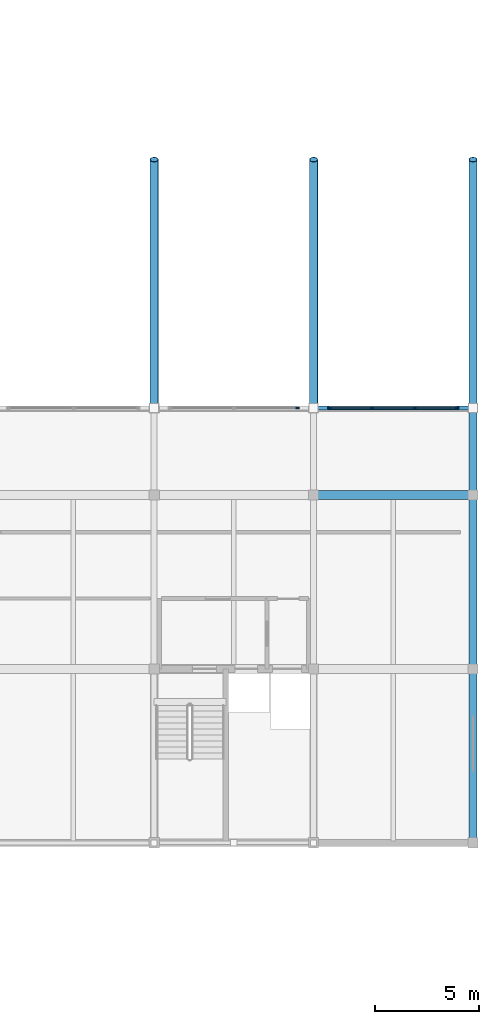
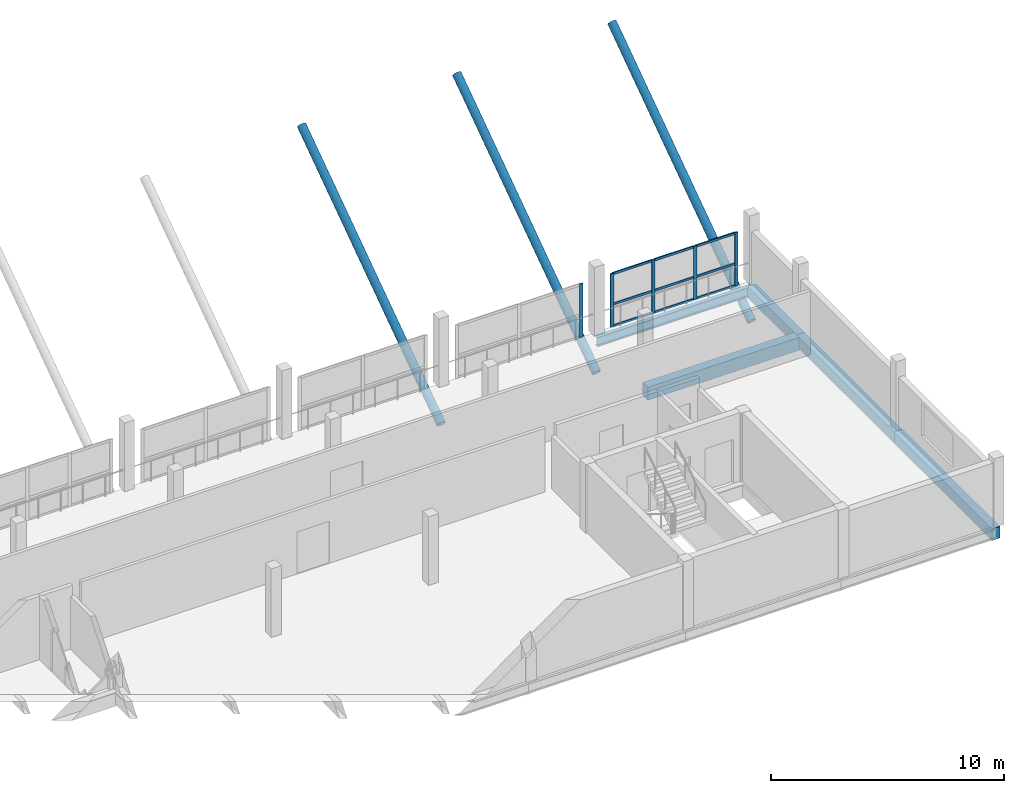
# One storey, part 29 of 51: 17 members, 5 beams, 2 elements without a shape of their own.
"""IFC4 building model written with IfcOpenShell, lengths in metres."""

from ifc_helpers import new_model, si_unit, direction, frame, origin, origin_2d, place, context, subcontext, project, spatial, rectangle, hollow_circle, i_section, extrude, material, material_profile, profile_set, type_object, element, aggregate, save


model = new_model("IFC4")

# Units and contexts
model_context = context("Model", 3, precision=1e-05, world=origin(), true_north=direction((0.0, 1.0)))
body_context = subcontext(model_context, "Body", "Model", "MODEL_VIEW")
ifc_project = project(units=[si_unit("LENGTHUNIT", "METRE"), si_unit("AREAUNIT", "SQUARE_METRE"), si_unit("VOLUMEUNIT", "CUBIC_METRE"), si_unit("PLANEANGLEUNIT", "RADIAN"), si_unit("MASSUNIT", "GRAM", prefix="KILO")], contexts=[model_context])

# Site, building, storey
site_placement = place(None, origin())
site = spatial("IfcSite", under=ifc_project, at=site_placement, CompositionType="ELEMENT")
building_placement = place(site_placement, origin())
building = spatial("IfcBuilding", under=site, at=building_placement, Name="Vharandega Faculty of Natural Sciences", CompositionType="ELEMENT")
storey_placement = place(building_placement, frame((0.0, 0.0, 14.39990234375)))
storey = spatial("IfcBuildingStorey", under=building, at=storey_placement, Name="L03", CompositionType="ELEMENT", Elevation=14.39990234375)

# Curtain wall, member
ifc_material_1 = material(Name="Aluminium and solar-control glass curtain wall", Category="aluminium")
curtain_wall_type_1 = type_object("IfcCurtainWallType", Name="Unitised Curtain Wall System CW-19", PredefinedType="NOTDEFINED", material=ifc_material_1)
curtain_wall_1_placement = place(storey_placement, origin())
curtain_wall_1 = element("IfcCurtainWall", 1, at=curtain_wall_1_placement, inside=storey, type_object=curtain_wall_type_1, Name="Curtain Wall CW-L03-018", PredefinedType="NOTDEFINED")
ifc_material_2 = material(Name="Thermally broken aluminium 6063-T6", Category="aluminium")
ifc_material_profile_1 = material_profile(ifc_material_2, rectangle(XDim=0.06005859375, YDim=0.159912109375, at=origin_2d()), Name="ALU 60x160")
ifc_profile_set_1 = profile_set([ifc_material_profile_1], Name="Thermally broken aluminium 6063-T6")
member_type_1 = type_object("IfcMemberType", Name="CW Mullion 60x160", PredefinedType="MULLION", material=ifc_profile_set_1)
member_1_placement = place(storey_placement, frame((152.929931640625, 85.0, 0.0), z_axis=(0.0, 0.0, 1.0), x_axis=(0.0, 1.0, 0.0)))
member_1 = element("IfcMember", 2, at=member_1_placement, type_object=member_type_1, Name="CW-19 mullion 3", PredefinedType="MULLION", context=body_context, shape_type="SweptSolid", body=[
    extrude(rectangle(XDim=0.06005859375, YDim=0.159912109375, at=origin_2d()), origin(), (0.0, 0.0, 1.0), 2.800048828125),
])
aggregate(curtain_wall_1, [member_1])

# Curtain wall, members
ifc_material_3 = material(Name="Aluminium and solar-control glass curtain wall", Category="aluminium")
curtain_wall_type_2 = type_object("IfcCurtainWallType", Name="Unitised Curtain Wall System CW-20", PredefinedType="NOTDEFINED", material=ifc_material_3)
curtain_wall_2_placement = place(storey_placement, origin())
curtain_wall_2 = element("IfcCurtainWall", 3, at=curtain_wall_2_placement, inside=storey, type_object=curtain_wall_type_2, Name="Curtain Wall CW-L03-019", PredefinedType="NOTDEFINED")
member_2_placement = place(storey_placement, frame((154.469970703125, 85.0, 0.0), z_axis=(0.0, 0.0, 1.0), x_axis=(0.0, 1.0, 0.0)))
member_2 = element("IfcMember", 4, at=member_2_placement, type_object=member_type_1, Name="CW-20 mullion 1", PredefinedType="MULLION", context=body_context, shape_type="SweptSolid", body=[
    extrude(rectangle(XDim=0.06005859375, YDim=0.159912109375, at=origin_2d()), origin(), (0.0, 0.0, 1.0), 2.800048828125),
])
member_3_placement = place(storey_placement, frame((156.513427734375, 85.0, 0.0), z_axis=(0.0, 0.0, 1.0), x_axis=(0.0, 1.0, 0.0)))
member_3 = element("IfcMember", 5, at=member_3_placement, type_object=member_type_1, Name="CW-20 mullion 2", PredefinedType="MULLION", context=body_context, shape_type="SweptSolid", body=[
    extrude(rectangle(XDim=0.06005859375, YDim=0.159912109375, at=origin_2d()), origin(), (0.0, 0.0, 1.0), 2.800048828125),
])
member_4_placement = place(storey_placement, frame((158.586669921875, 85.0, 0.0), z_axis=(0.0, 0.0, 1.0), x_axis=(0.0, 1.0, 0.0)))
member_4 = element("IfcMember", 6, at=member_4_placement, type_object=member_type_1, Name="CW-20 mullion 3", PredefinedType="MULLION", context=body_context, shape_type="SweptSolid", body=[
    extrude(rectangle(XDim=0.06005859375, YDim=0.159912109375, at=origin_2d()), origin(), (0.0, 0.0, 1.0), 2.800048828125),
])
member_5_placement = place(storey_placement, frame((160.6298828125, 85.0, 0.0), z_axis=(0.0, 0.0, 1.0), x_axis=(0.0, 1.0, 0.0)))
member_5 = element("IfcMember", 7, at=member_5_placement, type_object=member_type_1, Name="CW-20 mullion 4", PredefinedType="MULLION", context=body_context, shape_type="SweptSolid", body=[
    extrude(rectangle(XDim=0.06005859375, YDim=0.159912109375, at=origin_2d()), origin(), (0.0, 0.0, 1.0), 2.800048828125),
])
ifc_material_4 = material(Name="Thermally broken aluminium 6063-T6", Category="aluminium")
ifc_material_profile_2 = material_profile(ifc_material_4, rectangle(XDim=0.06005859375, YDim=0.1201171875, at=origin_2d()), Name="ALU 60x120")
ifc_profile_set_2 = profile_set([ifc_material_profile_2], Name="Thermally broken aluminium 6063-T6")
member_type_2 = type_object("IfcMemberType", Name="CW Transom 60x120", PredefinedType="USERDEFINED", material=ifc_profile_set_2)
member_6_placement = place(storey_placement, frame((154.5, 85.0, 0.030029296875), z_axis=(1.0, 0.0, 0.0), x_axis=(0.0, 1.0, 0.0)))
member_6 = element("IfcMember", 8, at=member_6_placement, type_object=member_type_2, Name="CW-20 transom 1.1", ObjectType="TRANSOM", PredefinedType="USERDEFINED", context=body_context, shape_type="SweptSolid", body=[
    extrude(rectangle(XDim=0.06005859375, YDim=0.1201171875, at=origin_2d()), origin(), (0.0, 0.0, 1.0), 1.9833984375),
])
member_7_placement = place(storey_placement, frame((154.5, 85.0, 1.176025390625), z_axis=(1.0, 0.0, 0.0), x_axis=(0.0, 1.0, 0.0)))
member_7 = element("IfcMember", 9, at=member_7_placement, type_object=member_type_2, Name="CW-20 transom 1.2", ObjectType="TRANSOM", PredefinedType="USERDEFINED", context=body_context, shape_type="SweptSolid", body=[
    extrude(rectangle(XDim=0.06005859375, YDim=0.1201171875, at=origin_2d()), origin(), (0.0, 0.0, 1.0), 1.9833984375),
])
member_8_placement = place(storey_placement, frame((154.5, 85.0, 2.77001953125), z_axis=(1.0, 0.0, 0.0), x_axis=(0.0, 1.0, 0.0)))
member_8 = element("IfcMember", 10, at=member_8_placement, type_object=member_type_2, Name="CW-20 transom 1.3", ObjectType="TRANSOM", PredefinedType="USERDEFINED", context=body_context, shape_type="SweptSolid", body=[
    extrude(rectangle(XDim=0.06005859375, YDim=0.1201171875, at=origin_2d()), origin(), (0.0, 0.0, 1.0), 1.9833984375),
])
member_9_placement = place(storey_placement, frame((156.543212890625, 85.0, 0.030029296875), z_axis=(1.0, 0.0, 0.0), x_axis=(0.0, 1.0, 0.0)))
member_9 = element("IfcMember", 11, at=member_9_placement, type_object=member_type_2, Name="CW-20 transom 2.1", ObjectType="TRANSOM", PredefinedType="USERDEFINED", context=body_context, shape_type="SweptSolid", body=[
    extrude(rectangle(XDim=0.06005859375, YDim=0.1201171875, at=origin_2d()), origin(), (0.0, 0.0, 1.0), 2.013427734375),
])
member_10_placement = place(storey_placement, frame((156.543212890625, 85.0, 1.176025390625), z_axis=(1.0, 0.0, 0.0), x_axis=(0.0, 1.0, 0.0)))
member_10 = element("IfcMember", 12, at=member_10_placement, type_object=member_type_2, Name="CW-20 transom 2.2", ObjectType="TRANSOM", PredefinedType="USERDEFINED", context=body_context, shape_type="SweptSolid", body=[
    extrude(rectangle(XDim=0.06005859375, YDim=0.1201171875, at=origin_2d()), origin(), (0.0, 0.0, 1.0), 2.013427734375),
])
member_11_placement = place(storey_placement, frame((156.543212890625, 85.0, 2.77001953125), z_axis=(1.0, 0.0, 0.0), x_axis=(0.0, 1.0, 0.0)))
member_11 = element("IfcMember", 13, at=member_11_placement, type_object=member_type_2, Name="CW-20 transom 2.3", ObjectType="TRANSOM", PredefinedType="USERDEFINED", context=body_context, shape_type="SweptSolid", body=[
    extrude(rectangle(XDim=0.06005859375, YDim=0.1201171875, at=origin_2d()), origin(), (0.0, 0.0, 1.0), 2.013427734375),
])
member_12_placement = place(storey_placement, frame((158.61669921875, 85.0, 0.030029296875), z_axis=(1.0, 0.0, 0.0), x_axis=(0.0, 1.0, 0.0)))
member_12 = element("IfcMember", 14, at=member_12_placement, type_object=member_type_2, Name="CW-20 transom 3.1", ObjectType="TRANSOM", PredefinedType="USERDEFINED", context=body_context, shape_type="SweptSolid", body=[
    extrude(rectangle(XDim=0.06005859375, YDim=0.1201171875, at=origin_2d()), origin(), (0.0, 0.0, 1.0), 1.9833984375),
])
member_13_placement = place(storey_placement, frame((158.61669921875, 85.0, 1.176025390625), z_axis=(1.0, 0.0, 0.0), x_axis=(0.0, 1.0, 0.0)))
member_13 = element("IfcMember", 15, at=member_13_placement, type_object=member_type_2, Name="CW-20 transom 3.2", ObjectType="TRANSOM", PredefinedType="USERDEFINED", context=body_context, shape_type="SweptSolid", body=[
    extrude(rectangle(XDim=0.06005859375, YDim=0.1201171875, at=origin_2d()), origin(), (0.0, 0.0, 1.0), 1.9833984375),
])
member_14_placement = place(storey_placement, frame((158.61669921875, 85.0, 2.77001953125), z_axis=(1.0, 0.0, 0.0), x_axis=(0.0, 1.0, 0.0)))
member_14 = element("IfcMember", 16, at=member_14_placement, type_object=member_type_2, Name="CW-20 transom 3.3", ObjectType="TRANSOM", PredefinedType="USERDEFINED", context=body_context, shape_type="SweptSolid", body=[
    extrude(rectangle(XDim=0.06005859375, YDim=0.1201171875, at=origin_2d()), origin(), (0.0, 0.0, 1.0), 1.9833984375),
])
aggregate(curtain_wall_2, [member_2, member_3, member_4, member_5, member_6, member_7, member_8, member_9, member_10, member_11, member_12, member_13, member_14])

# Beams
ifc_material_5 = material(Name="Glulam GL32h", Category="wood")
ifc_material_profile_3 = material_profile(ifc_material_5, rectangle(XDim=0.43994140625, YDim=0.679931640625, at=origin_2d()), Name="GL32h 440x680")
ifc_profile_set_3 = profile_set([ifc_material_profile_3], Name="Glulam GL32h")
beam_type_1 = type_object("IfcBeamType", Name="Glulam Girder 440x680", PredefinedType="BEAM", material=ifc_profile_set_3)
beam_1_placement = place(storey_placement, frame((153.699951171875, 80.800048828125, -0.579833984375), z_axis=(1.0, 0.0, 0.0), x_axis=(0.0, 1.0, 0.0)))
element("IfcBeam", 17, at=beam_1_placement, inside=storey, type_object=beam_type_1, Name="Beam L03 L/20-21", PredefinedType="BEAM", context=body_context, shape_type="SweptSolid", body=[
    extrude(rectangle(XDim=0.43994140625, YDim=0.679931640625, at=origin_2d()), origin(), (0.0, 0.0, 1.0), 7.699951171875),
])
ifc_material_6 = material(Name="Glulam GL32h", Category="wood")
ifc_material_profile_4 = material_profile(ifc_material_6, rectangle(XDim=0.39990234375, YDim=0.60009765625, at=origin_2d()), Name="GL32h 400x600")
ifc_profile_set_4 = profile_set([ifc_material_profile_4], Name="Glulam GL32h")
beam_type_2 = type_object("IfcBeamType", Name="Glulam Spine Girder 400x600", PredefinedType="BEAM", material=ifc_profile_set_4)
beam_2_placement = place(storey_placement, frame((161.39990234375, 64.0, -0.539794921875), z_axis=(0.0, 1.0, 0.0), x_axis=(-1.0, 0.0, 0.0)))
element("IfcBeam", 18, at=beam_2_placement, inside=storey, type_object=beam_type_2, Name="Beam L03 21/J-K", PredefinedType="BEAM", context=body_context, shape_type="SweptSolid", body=[
    extrude(rectangle(XDim=0.39990234375, YDim=0.60009765625, at=origin_2d()), origin(), (0.0, 0.0, 1.0), 8.39990234375),
])
beam_3_placement = place(storey_placement, frame((161.39990234375, 72.39990234375, -0.539794921875), z_axis=(0.0, 1.0, 0.0), x_axis=(-1.0, 0.0, 0.0)))
element("IfcBeam", 19, at=beam_3_placement, inside=storey, type_object=beam_type_2, Name="Beam L03 21/K-L", PredefinedType="BEAM", context=body_context, shape_type="SweptSolid", body=[
    extrude(rectangle(XDim=0.39990234375, YDim=0.60009765625, at=origin_2d()), origin(), (0.0, 0.0, 1.0), 8.400146484375),
])
beam_4_placement = place(storey_placement, frame((161.39990234375, 80.800048828125, -0.539794921875), z_axis=(0.0, 1.0, 0.0), x_axis=(-1.0, 0.0, 0.0)))
element("IfcBeam", 20, at=beam_4_placement, inside=storey, type_object=beam_type_2, Name="Beam L03 21/L-M", PredefinedType="BEAM", context=body_context, shape_type="SweptSolid", body=[
    extrude(rectangle(XDim=0.39990234375, YDim=0.60009765625, at=origin_2d()), origin(), (0.0, 0.0, 1.0), 4.199951171875),
])

# Members
ifc_material_7 = material(Name="Steel S355", Category="steel")
ifc_material_profile_5 = material_profile(ifc_material_7, hollow_circle(Radius=0.203125, WallThickness=0.02001953125, at=origin_2d()), Name="CHS 406.4x20")
ifc_profile_set_5 = profile_set([ifc_material_profile_5], Name="Steel S355")
member_type_3 = type_object("IfcMemberType", Name="Raked Cantilever V-Strut CHS 406", PredefinedType="STRUT", material=ifc_profile_set_5)
for number, where, z_axis, x_axis, name in (
    (21, (146.0, 85.0, -2.139892578125), (0.0, 0.819235052632, 0.57345786989), (-1.0, 0.0, 0.0), "Cantilever Raked Strut Grid 19"),
    (22, (153.699951171875, 85.0, -2.139892578125), (0.0, 0.819235052632, 0.57345786989), (-1.0, 0.0, 0.0), "Cantilever Raked Strut Grid 20"),
    (23, (161.39990234375, 85.0, -2.139892578125), (0.0, 0.819235052632, 0.57345786989), (-1.0, 0.0, 0.0), "Cantilever Raked Strut Grid 21"),
):
    element("IfcMember", number, at=place(storey_placement, frame(where, z_axis=z_axis, x_axis=x_axis)), inside=storey, type_object=member_type_3, Name=name, PredefinedType="STRUT", context=body_context, shape_type="SweptSolid", body=[
        extrude(hollow_circle(Radius=0.203125, WallThickness=0.02001953125, at=origin_2d()), origin(), (0.0, 0.0, 1.0), 14.647705078125),
    ])

# Beam
ifc_material_8 = material(Name="Steel S355", Category="steel")
ifc_material_profile_6 = material_profile(ifc_material_8, i_section(OverallWidth=0.199951171875, OverallDepth=0.5, WebThickness=0.01025390625, FlangeThickness=0.01611328125, FilletRadius=0.02099609375, at=origin_2d()), Name="IPE 500")
ifc_profile_set_6 = profile_set([ifc_material_profile_6], Name="Steel S355")
beam_type_3 = type_object("IfcBeamType", Name="Steel Spandrel Beam IPE 500", PredefinedType="SPANDREL", material=ifc_profile_set_6)
beam_5_placement = place(storey_placement, frame((153.699951171875, 85.0, -0.489990234375), z_axis=(1.0, 0.0, 0.0), x_axis=(0.0, 1.0, 0.0)))
element("IfcBeam", 24, at=beam_5_placement, inside=storey, type_object=beam_type_3, Name="Beam L03 M/20-21", PredefinedType="SPANDREL", context=body_context, shape_type="SweptSolid", body=[
    extrude(i_section(OverallWidth=0.199951171875, OverallDepth=0.5, WebThickness=0.01025390625, FlangeThickness=0.01611328125, FilletRadius=0.02099609375, at=origin_2d()), origin(), (0.0, 0.0, 1.0), 7.699951171875),
])

save(model, "model.ifc")
